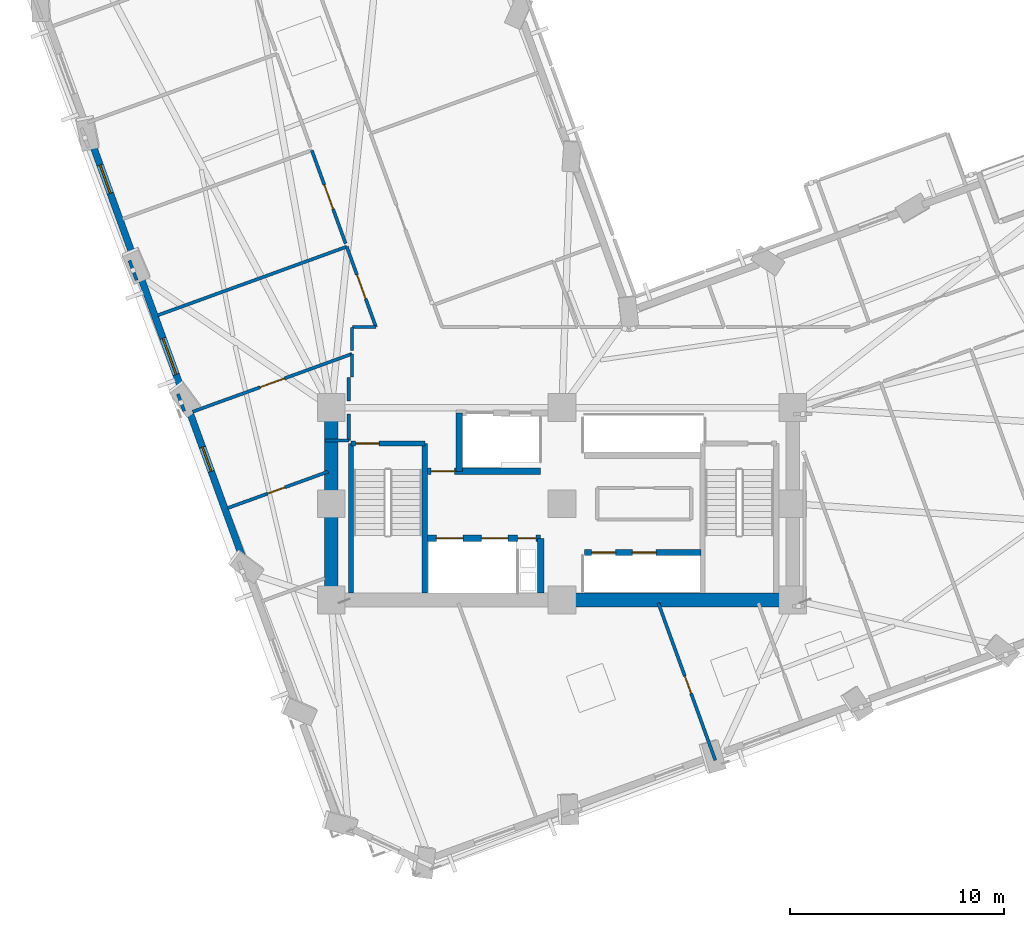
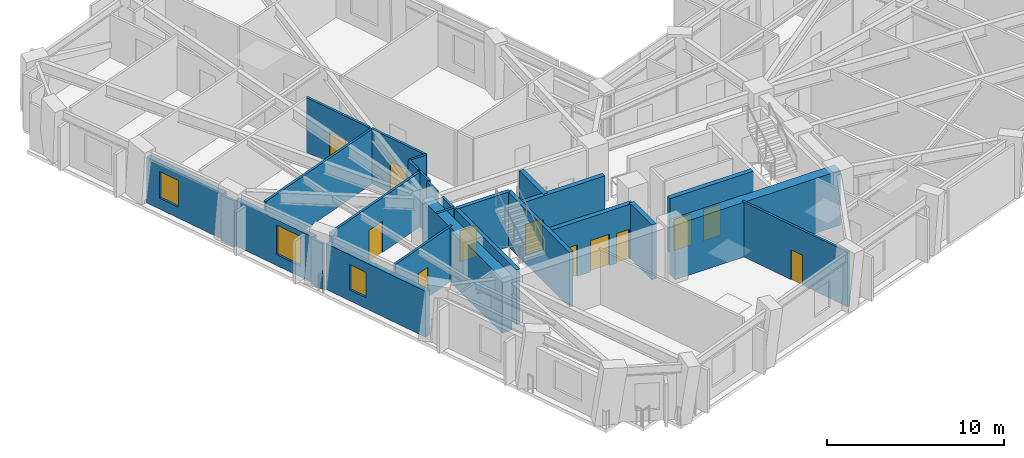
# One storey, part 9 of 17: 27 walls, 12 doors, 3 windows, 15 openings.
"""IFC4 building model written with IfcOpenShell, lengths in metres."""

from ifc_helpers import new_model, si_unit, direction, frame, frame_2d, origin, place, context, subcontext, project, spatial, rectangle, extrude, material, layer, layer_set, type_object, element, fill, save


model = new_model("IFC4")

# Units and contexts
model_context = context("Model", 3, precision=1e-05, world=origin(), true_north=direction((0.0, 1.0)))
body_context = subcontext(model_context, "Body", "Model", "MODEL_VIEW")
ifc_project = project(units=[si_unit("LENGTHUNIT", "METRE"), si_unit("AREAUNIT", "SQUARE_METRE"), si_unit("VOLUMEUNIT", "CUBIC_METRE"), si_unit("PLANEANGLEUNIT", "RADIAN"), si_unit("MASSUNIT", "GRAM", prefix="KILO")], contexts=[model_context])

# Site, building, storey
site_placement = place(None, origin())
site = spatial("IfcSite", under=ifc_project, at=site_placement, CompositionType="ELEMENT")
building_placement = place(site_placement, origin())
building = spatial("IfcBuilding", under=site, at=building_placement, Name="Gaonmaruhae Medical Tower", CompositionType="ELEMENT")
storey_placement = place(building_placement, frame((0.0, 0.0, 108.39990234375)))
storey = spatial("IfcBuildingStorey", under=building, at=storey_placement, Name="L25", CompositionType="ELEMENT", Elevation=108.39990234375)

# Walls
ifc_material_1 = material(Name="Concrete C60/75", Category="concrete")
ifc_layer_1 = layer(ifc_material_1, 0.64990234375)
ifc_layer_set_1 = layer_set([ifc_layer_1], Name="Concrete C60/75")
wall_type_1 = type_object("IfcWallType", Name="CW-650 Zone 2 Core Shear Wall", PredefinedType="SHEAR", material=ifc_layer_set_1)
wall_1_placement = place(storey_placement, frame((24.800048828125, 7.800048828125, 0.0), z_axis=(0.0, 0.0, 1.0), x_axis=(1.0, 0.0, 0.0)))
element("IfcWall", 1, at=wall_1_placement, inside=storey, type_object=wall_type_1, Name="L25 Core Shear Wall CSW-S2", PredefinedType="SHEAR", context=body_context, shape_type="SweptSolid", body=[
    extrude(rectangle(XDim=10.800048828125, YDim=0.64990234375, at=frame_2d((5.39990234375, 0.0))), origin(), (0.0, 0.0, 1.0), 3.780029296875),
])
wall_2_placement = place(storey_placement, frame((14.0, 16.800048828125, 0.0), z_axis=(0.0, 0.0, 1.0), x_axis=(0.0, -1.0, 0.0)))
element("IfcWall", 2, at=wall_2_placement, inside=storey, type_object=wall_type_1, Name="L25 Core Shear Wall CSW-W1", PredefinedType="SHEAR", context=body_context, shape_type="SweptSolid", body=[
    extrude(rectangle(XDim=9.0, YDim=0.64990234375, at=frame_2d((4.5, 0.0))), origin(), (0.0, 0.0, 1.0), 3.780029296875),
])

# Wall, opening, window
ifc_material_2 = material(Name="Precast concrete C45/55", Category="concrete")
ifc_layer_2 = layer(ifc_material_2, 0.320068359375)
ifc_layer_set_2 = layer_set([ifc_layer_2], Name="Precast concrete C45/55")
wall_type_2 = type_object("IfcWallType", Name="EW-320 Lower Precast Masonry-Frame Facade Wall", PredefinedType="SOLIDWALL", material=ifc_layer_set_2)
wall_3_placement = place(storey_placement, frame((4.773193359375, 23.765380859375, 0.0), z_axis=(0.0, 0.0, 1.0), x_axis=(-0.341234474443, 0.93997820903, 0.0)))
wall_3 = element("IfcWall", 3, at=wall_3_placement, inside=storey, type_object=wall_type_2, Name="L25 Precast Masonry-Frame Wall W02-W03", PredefinedType="SOLIDWALL", context=body_context, shape_type="SweptSolid", body=[
    extrude(rectangle(XDim=5.6279296875, YDim=0.320068359375, at=frame_2d((2.81396484375, 0.0))), origin(), (0.0, 0.0, 1.0), 3.1650390625),
])
opening_1_placement = place(wall_3_placement, frame((3.263427734375, 0.0, 0.75)))
opening_1 = element("IfcOpeningElement", 4, at=opening_1_placement, cuts=wall_3, Name="Opening WN-03", PredefinedType="OPENING", context=body_context, shape_type="SweptSolid", body=[
    extrude(rectangle(XDim=1.39990234375, YDim=1.85009765625, at=frame_2d((0.699951171875, 0.925048828125))), frame((0.0, 0.169921875, 0.0), z_axis=(0.0, -1.0, 0.0), x_axis=(1.0, 0.0, 0.0)), (0.0, 0.0, 1.0), 0.340087890625),
])
ifc_material_3 = material(Name="Anodised aluminium and Low-E double glazing", Category="aluminium")
window_type_1 = type_object("IfcWindowType", Name="WN-03 Isolation Ward Punched Window 1400x1850", PartitioningType="SINGLE_PANEL", PredefinedType="WINDOW", material=ifc_material_3)
window_1_placement = place(opening_1_placement, origin())
window_1 = element("IfcWindow", 5, at=window_1_placement, inside=storey, type_object=window_type_1, Name="L25 Modular Facade Window W02", OverallHeight=1.85009765625, OverallWidth=1.39990234375, PartitioningType="SINGLE_PANEL", PredefinedType="WINDOW", context=body_context, shape_type="SweptSolid", body=[
    extrude(rectangle(XDim=1.39990234375, YDim=1.85009765625, at=frame_2d((0.699951171875, 0.925048828125))), frame((0.0, 0.030029296875, 0.0), z_axis=(0.0, -1.0, 0.0), x_axis=(1.0, 0.0, 0.0)), (0.0, 0.0, 1.0), 0.06005859375),
])
fill(opening_1, window_1)

wall_4_placement = place(storey_placement, frame((7.040283203125, 17.519287109375, 0.0), z_axis=(0.0, 0.0, 1.0), x_axis=(-0.341185627891, 0.939995940055, 0.0)))
wall_4 = element("IfcWall", 6, at=wall_4_placement, inside=storey, type_object=wall_type_2, Name="L25 Precast Masonry-Frame Wall W03-W04", PredefinedType="SOLIDWALL", context=body_context, shape_type="SweptSolid", body=[
    extrude(rectangle(XDim=5.662353515625, YDim=0.320068359375, at=frame_2d((2.8310546875, 0.0))), origin(), (0.0, 0.0, 1.0), 3.1650390625),
])
opening_2_placement = place(wall_4_placement, frame((0.885986328125, 0.0, 0.75)))
opening_2 = element("IfcOpeningElement", 7, at=opening_2_placement, cuts=wall_4, Name="Opening WN-04", PredefinedType="OPENING", context=body_context, shape_type="SweptSolid", body=[
    extrude(rectangle(XDim=1.800048828125, YDim=2.050048828125, at=frame_2d((0.89990234375, 1.02490234375))), frame((0.0, 0.169921875, 0.0), z_axis=(0.0, -1.0, 0.0), x_axis=(1.0, 0.0, 0.0)), (0.0, 0.0, 1.0), 0.340087890625),
])
window_type_2 = type_object("IfcWindowType", Name="WN-04 Clinic & Consult Punched Window 1800x2050", PartitioningType="SINGLE_PANEL", PredefinedType="WINDOW", material=ifc_material_3)
window_2_placement = place(opening_2_placement, origin())
window_2 = element("IfcWindow", 8, at=window_2_placement, inside=storey, type_object=window_type_2, Name="L25 Modular Facade Window W03", OverallHeight=2.050048828125, OverallWidth=1.800048828125, PartitioningType="SINGLE_PANEL", PredefinedType="WINDOW", context=body_context, shape_type="SweptSolid", body=[
    extrude(rectangle(XDim=1.800048828125, YDim=2.050048828125, at=frame_2d((0.89990234375, 1.02490234375))), frame((0.0, 0.030029296875, 0.0), z_axis=(0.0, -1.0, 0.0), x_axis=(1.0, 0.0, 0.0)), (0.0, 0.0, 1.0), 0.06005859375),
])
fill(opening_2, window_2)

wall_5_placement = place(storey_placement, frame((9.89013671875, 9.668212890625, 0.0), z_axis=(0.0, 0.0, 1.0), x_axis=(-0.341183717547, 0.939996633441, 0.0)))
wall_5 = element("IfcWall", 9, at=wall_5_placement, inside=storey, type_object=wall_type_2, Name="L25 Precast Masonry-Frame Wall W04-W05", PredefinedType="SOLIDWALL", context=body_context, shape_type="SweptSolid", body=[
    extrude(rectangle(XDim=7.3603515625, YDim=0.320068359375, at=frame_2d((3.68017578125, 0.0))), origin(), (0.0, 0.0, 1.0), 3.1650390625),
])
opening_3_placement = place(wall_5_placement, frame((4.4140625, 0.0, 0.75)))
opening_3 = element("IfcOpeningElement", 10, at=opening_3_placement, cuts=wall_5, Name="Opening WN-05", PredefinedType="OPENING", context=body_context, shape_type="SweptSolid", body=[
    extrude(rectangle(XDim=1.199951171875, YDim=1.75, at=frame_2d((0.60009765625, 0.875))), frame((0.0, 0.169921875, 0.0), z_axis=(0.0, -1.0, 0.0), x_axis=(1.0, 0.0, 0.0)), (0.0, 0.0, 1.0), 0.340087890625),
])
window_type_3 = type_object("IfcWindowType", Name="WN-05 Support & Staff Punched Window 1200x1750", PartitioningType="SINGLE_PANEL", PredefinedType="WINDOW", material=ifc_material_3)
window_3_placement = place(opening_3_placement, origin())
window_3 = element("IfcWindow", 11, at=window_3_placement, inside=storey, type_object=window_type_3, Name="L25 Modular Facade Window W04", OverallHeight=1.75, OverallWidth=1.199951171875, PartitioningType="SINGLE_PANEL", PredefinedType="WINDOW", context=body_context, shape_type="SweptSolid", body=[
    extrude(rectangle(XDim=1.199951171875, YDim=1.75, at=frame_2d((0.60009765625, 0.875))), frame((0.0, 0.030029296875, 0.0), z_axis=(0.0, -1.0, 0.0), x_axis=(1.0, 0.0, 0.0)), (0.0, 0.0, 1.0), 0.06005859375),
])
fill(opening_3, window_3)

# Wall, opening, door
ifc_material_4 = material(Name="Gypsum board partition", Category="gypsum")
ifc_layer_3 = layer(ifc_material_4, 0.14990234375)
ifc_layer_set_3 = layer_set([ifc_layer_3], Name="Gypsum board partition")
wall_type_3 = type_object("IfcWallType", Name="PW-150 Rated Clinical Corridor Partition", PredefinedType="PARTITIONING", material=ifc_layer_set_3)
wall_6_placement = place(storey_placement, frame((29.31005859375, 7.64990234375, 0.0), z_axis=(0.0, 0.0, 1.0), x_axis=(0.341041356656, -0.940048292935, 0.0)))
wall_6 = element("IfcWall", 12, at=wall_6_placement, inside=storey, type_object=wall_type_3, Name="L25 Interior Partition L25-SUP04-9", PredefinedType="PARTITIONING", context=body_context, shape_type="SweptSolid", body=[
    extrude(rectangle(XDim=7.822998046875, YDim=0.14990234375, at=frame_2d((3.91162109375, 0.0))), origin(), (0.0, 0.0, 1.0), 3.780029296875),
])
opening_4_placement = place(wall_6_placement, frame((3.640869140625, 0.0, 0.0)))
opening_4 = element("IfcOpeningElement", 13, at=opening_4_placement, cuts=wall_6, Name="Opening AD-01", PredefinedType="OPENING", context=body_context, shape_type="SweptSolid", body=[
    extrude(rectangle(XDim=0.860107421875, YDim=2.06005859375, at=frame_2d((0.43017578125, 1.030029296875))), frame((0.0, 0.0849609375, 0.0), z_axis=(0.0, -1.0, 0.0), x_axis=(1.0, 0.0, 0.0)), (0.0, 0.0, 1.0), 0.169921875),
])
ifc_material_5 = material(Name="Powder-coated steel access door", Category="steel")
door_type_1 = type_object("IfcDoorType", Name="AD-01 Riser & Closet Access Fire Door 860x2060", OperationType="NOTDEFINED", PredefinedType="DOOR", material=ifc_material_5)
door_1_placement = place(opening_4_placement, origin())
door_1 = element("IfcDoor", 14, at=door_1_placement, inside=storey, type_object=door_type_1, Name="L25 Clinical Biomedical Charting Office Sliding Door", OperationType="SLIDING_TO_LEFT", OverallHeight=2.06005859375, OverallWidth=0.860107421875, PredefinedType="DOOR", context=body_context, shape_type="SweptSolid", body=[
    extrude(rectangle(XDim=0.860107421875, YDim=2.06005859375, at=frame_2d((0.43017578125, 1.030029296875))), frame((0.0, 0.02490234375, 0.0), z_axis=(0.0, -1.0, 0.0), x_axis=(1.0, 0.0, 0.0)), (0.0, 0.0, 1.0), 0.050048828125),
])
fill(opening_4, door_1)

wall_7_placement = place(storey_placement, frame((9.152099609375, 12.096923828125, 0.0), z_axis=(0.0, 0.0, 1.0), x_axis=(0.940066980514, 0.340989841708, 0.0)))
wall_7 = element("IfcWall", 15, at=wall_7_placement, inside=storey, type_object=wall_type_3, Name="L25 Interior Partition L25-WOF12-34", PredefinedType="PARTITIONING", context=body_context, shape_type="SweptSolid", body=[
    extrude(rectangle(XDim=4.99755859375, YDim=0.14990234375, at=frame_2d((2.498779296875, 0.0))), origin(), (0.0, 0.0, 1.0), 3.780029296875),
])
opening_5_placement = place(wall_7_placement, frame((1.989013671875, 0.0, 0.0)))
opening_5 = element("IfcOpeningElement", 16, at=opening_5_placement, cuts=wall_7, Name="Opening AD-01", PredefinedType="OPENING", context=body_context, shape_type="SweptSolid", body=[
    extrude(rectangle(XDim=0.860107421875, YDim=2.06005859375, at=frame_2d((0.43017578125, 1.030029296875))), frame((0.0, 0.0849609375, 0.0), z_axis=(0.0, -1.0, 0.0), x_axis=(1.0, 0.0, 0.0)), (0.0, 0.0, 1.0), 0.169921875),
])
door_2_placement = place(opening_5_placement, origin())
door_2 = element("IfcDoor", 17, at=door_2_placement, inside=storey, type_object=door_type_1, Name="L25 Ward Physician Reporting Office Sliding Door", OperationType="SLIDING_TO_LEFT", OverallHeight=2.06005859375, OverallWidth=0.860107421875, PredefinedType="DOOR", context=body_context, shape_type="SweptSolid", body=[
    extrude(rectangle(XDim=0.860107421875, YDim=2.06005859375, at=frame_2d((0.43017578125, 1.030029296875))), frame((0.0, 0.02490234375, 0.0), z_axis=(0.0, -1.0, 0.0), x_axis=(1.0, 0.0, 0.0)), (0.0, 0.0, 1.0), 0.050048828125),
])
fill(opening_5, door_2)

# Walls
wall_8_placement = place(storey_placement, frame((14.820068359375, 18.199951171875, 0.0), z_axis=(0.0, 0.0, 1.0), x_axis=(0.0, -1.0, 0.0)))
element("IfcWall", 18, at=wall_8_placement, inside=storey, type_object=wall_type_3, Name="L25 Interior Partition L25-WCL13-36", PredefinedType="PARTITIONING", context=body_context, shape_type="SweptSolid", body=[
    extrude(rectangle(XDim=1.091064453125, YDim=0.14990234375, at=frame_2d((0.54541015625, 0.0))), origin(), (0.0, 0.0, 1.0), 3.780029296875),
])
wall_9_placement = place(storey_placement, frame((14.820068359375, 16.490966796875, 0.0), z_axis=(0.0, 0.0, 1.0), x_axis=(0.0, -1.0, 0.0)))
element("IfcWall", 19, at=wall_9_placement, inside=storey, type_object=wall_type_3, Name="L25 Interior Partition L25-WCL13-37", PredefinedType="PARTITIONING", context=body_context, shape_type="SweptSolid", body=[
    extrude(rectangle(XDim=1.23095703125, YDim=0.14990234375, at=frame_2d((0.615478515625, 0.0))), origin(), (0.0, 0.0, 1.0), 3.780029296875),
])
wall_10_placement = place(storey_placement, frame((14.820068359375, 15.260009765625, 0.0), z_axis=(0.0, 0.0, 1.0), x_axis=(-1.0, 0.0, 0.0)))
element("IfcWall", 20, at=wall_10_placement, inside=storey, type_object=wall_type_3, Name="L25 Interior Partition L25-WCL13-38", PredefinedType="PARTITIONING", context=body_context, shape_type="SweptSolid", body=[
    extrude(rectangle(XDim=1.1201171875, YDim=0.14990234375, at=frame_2d((0.56005859375, 0.0))), origin(), (0.0, 0.0, 1.0), 3.780029296875),
])

# Wall, opening, door
wall_11_placement = place(storey_placement, frame((7.514892578125, 16.60791015625, 0.0), z_axis=(0.0, 0.0, 1.0), x_axis=(0.939990996675, 0.341199247025, 0.0)))
wall_11 = element("IfcWall", 21, at=wall_11_placement, inside=storey, type_object=wall_type_3, Name="L25 Interior Partition L25-WCL13-39", PredefinedType="PARTITIONING", context=body_context, shape_type="SweptSolid", body=[
    extrude(rectangle(XDim=7.930908203125, YDim=0.14990234375, at=frame_2d((3.96533203125, 0.0))), origin(), (0.0, 0.0, 1.0), 3.780029296875),
])
opening_6_placement = place(wall_11_placement, frame((3.365478515625, 0.0, 0.0)))
opening_6 = element("IfcOpeningElement", 22, at=opening_6_placement, cuts=wall_11, Name="Opening CD-02", PredefinedType="OPENING", context=body_context, shape_type="SweptSolid", body=[
    extrude(rectangle(XDim=1.199951171875, YDim=2.14990234375, at=frame_2d((0.60009765625, 1.074951171875))), frame((0.0, 0.0849609375, 0.0), z_axis=(0.0, -1.0, 0.0), x_axis=(1.0, 0.0, 0.0)), (0.0, 0.0, 1.0), 0.169921875),
])
ifc_material_6 = material(Name="Antimicrobial laminate timber fire door", Category="wood")
door_type_2 = type_object("IfcDoorType", Name="CD-02 Clinical Treatment & Procedure Door 1200x2150", OperationType="NOTDEFINED", PredefinedType="DOOR", material=ifc_material_6)
door_3_placement = place(opening_6_placement, origin())
door_3 = element("IfcDoor", 23, at=door_3_placement, inside=storey, type_object=door_type_2, Name="L25 Specialist Consultation Office Sliding Door", OperationType="SLIDING_TO_LEFT", OverallHeight=2.14990234375, OverallWidth=1.199951171875, PredefinedType="DOOR", context=body_context, shape_type="SweptSolid", body=[
    extrude(rectangle(XDim=1.199951171875, YDim=2.14990234375, at=frame_2d((0.60009765625, 1.074951171875))), frame((0.0, 0.02490234375, 0.0), z_axis=(0.0, -1.0, 0.0), x_axis=(1.0, 0.0, 0.0)), (0.0, 0.0, 1.0), 0.050048828125),
])
fill(opening_6, door_3)

# Walls
wall_12_placement = place(storey_placement, frame((14.969970703125, 19.31396484375, 0.0), z_axis=(0.0, 0.0, 1.0), x_axis=(0.0, -1.0, 0.0)))
element("IfcWall", 24, at=wall_12_placement, inside=storey, type_object=wall_type_3, Name="L25 Interior Partition L25-WCL13-40", PredefinedType="PARTITIONING", context=body_context, shape_type="SweptSolid", body=[
    extrude(rectangle(XDim=1.083984375, YDim=0.14990234375, at=frame_2d((0.5419921875, 0.0))), origin(), (0.0, 0.0, 1.0), 3.780029296875),
])
wall_13_placement = place(storey_placement, frame((14.969970703125, 20.550048828125, 0.0), z_axis=(0.0, 0.0, 1.0), x_axis=(0.0, -1.0, 0.0)))
element("IfcWall", 25, at=wall_13_placement, inside=storey, type_object=wall_type_3, Name="L25 Interior Partition L25-WOF14-41", PredefinedType="PARTITIONING", context=body_context, shape_type="SweptSolid", body=[
    extrude(rectangle(XDim=1.066162109375, YDim=0.14990234375, at=frame_2d((0.533203125, 0.0))), origin(), (0.0, 0.0, 1.0), 3.780029296875),
])
wall_14_placement = place(storey_placement, frame((7.116943359375, 16.634033203125, 0.0), z_axis=(0.0, 0.0, 1.0), x_axis=(-0.341286313554, 0.93995938858, 0.0)))
element("IfcWall", 26, at=wall_14_placement, inside=storey, type_object=wall_type_3, Name="L25 Interior Partition L25-WOF14-42", PredefinedType="PARTITIONING", context=body_context, shape_type="SweptSolid", body=[
    extrude(rectangle(XDim=0.8583984375, YDim=0.14990234375, at=frame_2d((0.42919921875, 0.0))), origin(), (0.0, 0.0, 1.0), 3.1650390625),
])
wall_15_placement = place(storey_placement, frame((5.876953125, 21.1201171875, 0.0), z_axis=(0.0, 0.0, 1.0), x_axis=(0.940008258736, 0.34115168695, 0.0)))
element("IfcWall", 27, at=wall_15_placement, inside=storey, type_object=wall_type_3, Name="L25 Interior Partition L25-WOF14-43", PredefinedType="PARTITIONING", context=body_context, shape_type="SweptSolid", body=[
    extrude(rectangle(XDim=9.414794921875, YDim=0.14990234375, at=frame_2d((4.70751953125, 0.0))), origin(), (0.0, 0.0, 1.0), 3.780029296875),
])

# Wall, opening, door
wall_16_placement = place(storey_placement, frame((14.72705078125, 24.33203125, 0.0), z_axis=(0.0, 0.0, 1.0), x_axis=(0.341237178064, -0.939977227547, 0.0)))
wall_16 = element("IfcWall", 28, at=wall_16_placement, inside=storey, type_object=wall_type_3, Name="L25 Interior Partition L25-WOF14-44", PredefinedType="PARTITIONING", context=body_context, shape_type="SweptSolid", body=[
    extrude(rectangle(XDim=3.991455078125, YDim=0.14990234375, at=frame_2d((1.99560546875, 0.0))), origin(), (0.0, 0.0, 1.0), 3.780029296875),
])
opening_7_placement = place(wall_16_placement, frame((1.395751953125, 0.0, 0.0)))
opening_7 = element("IfcOpeningElement", 29, at=opening_7_placement, cuts=wall_16, Name="Opening CD-02", PredefinedType="OPENING", context=body_context, shape_type="SweptSolid", body=[
    extrude(rectangle(XDim=1.199951171875, YDim=2.14990234375, at=frame_2d((0.60009765625, 1.074951171875))), frame((0.0, 0.0849609375, 0.0), z_axis=(0.0, -1.0, 0.0), x_axis=(1.0, 0.0, 0.0)), (0.0, 0.0, 1.0), 0.169921875),
])
door_4_placement = place(opening_7_placement, origin())
door_4 = element("IfcDoor", 30, at=door_4_placement, inside=storey, type_object=door_type_2, Name="L25 Ward Physician Reporting Office Door", OperationType="SINGLE_SWING_RIGHT", OverallHeight=2.14990234375, OverallWidth=1.199951171875, PredefinedType="DOOR", context=body_context, shape_type="SweptSolid", body=[
    extrude(rectangle(XDim=1.199951171875, YDim=2.14990234375, at=frame_2d((0.60009765625, 1.074951171875))), frame((0.0, 0.02490234375, 0.0), z_axis=(0.0, -1.0, 0.0), x_axis=(1.0, 0.0, 0.0)), (0.0, 0.0, 1.0), 0.050048828125),
])
fill(opening_7, door_4)

# Wall
wall_17_placement = place(storey_placement, frame((16.089111328125, 20.580078125, 0.0), z_axis=(0.0, 0.0, 1.0), x_axis=(-1.0, 0.0, 0.0)))
element("IfcWall", 31, at=wall_17_placement, inside=storey, type_object=wall_type_3, Name="L25 Interior Partition L25-WOF14-45", PredefinedType="PARTITIONING", context=body_context, shape_type="SweptSolid", body=[
    extrude(rectangle(XDim=1.092041015625, YDim=0.14990234375, at=frame_2d((0.5458984375, 0.0))), origin(), (0.0, 0.0, 1.0), 3.780029296875),
])

# Wall, opening, door
wall_18_placement = place(storey_placement, frame((13.089111328125, 28.843994140625, 0.0), z_axis=(0.0, 0.0, 1.0), x_axis=(0.34120218881, -0.939989928856, 0.0)))
wall_18 = element("IfcWall", 32, at=wall_18_placement, inside=storey, type_object=wall_type_3, Name="L25 Interior Partition L25-WOF15-47", PredefinedType="PARTITIONING", context=body_context, shape_type="SweptSolid", body=[
    extrude(rectangle(XDim=4.639404296875, YDim=0.14990234375, at=frame_2d((2.31982421875, 0.0))), origin(), (0.0, 0.0, 1.0), 3.780029296875),
])
opening_8_placement = place(wall_18_placement, frame((1.7197265625, 0.0, 0.0)))
opening_8 = element("IfcOpeningElement", 33, at=opening_8_placement, cuts=wall_18, Name="Opening CD-02", PredefinedType="OPENING", context=body_context, shape_type="SweptSolid", body=[
    extrude(rectangle(XDim=1.199951171875, YDim=2.14990234375, at=frame_2d((0.60009765625, 1.074951171875))), frame((0.0, 0.0849609375, 0.0), z_axis=(0.0, -1.0, 0.0), x_axis=(1.0, 0.0, 0.0)), (0.0, 0.0, 1.0), 0.169921875),
])
door_5_placement = place(opening_8_placement, origin())
door_5 = element("IfcDoor", 34, at=door_5_placement, inside=storey, type_object=door_type_2, Name="L25 Ward Physician Reporting Office Door", OperationType="SINGLE_SWING_LEFT", OverallHeight=2.14990234375, OverallWidth=1.199951171875, PredefinedType="DOOR", context=body_context, shape_type="SweptSolid", body=[
    extrude(rectangle(XDim=1.199951171875, YDim=2.14990234375, at=frame_2d((0.60009765625, 1.074951171875))), frame((0.0, 0.02490234375, 0.0), z_axis=(0.0, -1.0, 0.0), x_axis=(1.0, 0.0, 0.0)), (0.0, 0.0, 1.0), 0.050048828125),
])
fill(opening_8, door_5)

# Wall
wall_19_placement = place(storey_placement, frame((4.89208984375, 22.762939453125, 0.0), z_axis=(0.0, 0.0, 1.0), x_axis=(-0.34100511436, 0.940061440535, 0.0)))
element("IfcWall", 35, at=wall_19_placement, inside=storey, type_object=wall_type_3, Name="L25 Interior Partition L25-WOF15-48", PredefinedType="PARTITIONING", context=body_context, shape_type="SweptSolid", body=[
    extrude(rectangle(XDim=0.98291015625, YDim=0.14990234375, at=frame_2d((0.491455078125, 0.0))), origin(), (0.0, 0.0, 1.0), 3.1650390625),
])

# Wall, opening, door
ifc_material_7 = material(Name="Concrete C50/60", Category="concrete")
ifc_layer_4 = layer(ifc_material_7, 0.239990234375)
ifc_layer_set_4 = layer_set([ifc_layer_4], Name="Concrete C50/60")
wall_type_4 = type_object("IfcWallType", Name="SW-240 Dogleg Stair Tight Shaft Wall", PredefinedType="SOLIDWALL", material=ifc_layer_set_4)
wall_20_placement = place(storey_placement, frame((14.919921875, 15.1201171875, 0.0), z_axis=(0.0, 0.0, 1.0), x_axis=(1.0, 0.0, 0.0)))
wall_20 = element("IfcWall", 36, at=wall_20_placement, inside=storey, type_object=wall_type_4, Name="L25 ST-01 Stair Shaft Wall SHW-ST-01-N", PredefinedType="SOLIDWALL", context=body_context, shape_type="SweptSolid", body=[
    extrude(rectangle(XDim=3.4599609375, YDim=0.239990234375, at=frame_2d((1.72998046875, 0.0))), origin(), (0.0, 0.0, 1.0), 3.780029296875),
])
opening_9_placement = place(wall_20_placement, frame((0.219970703125, 0.0, 0.0)))
opening_9 = element("IfcOpeningElement", 37, at=opening_9_placement, cuts=wall_20, Name="Opening FD-01", PredefinedType="OPENING", context=body_context, shape_type="SweptSolid", body=[
    extrude(rectangle(XDim=1.10009765625, YDim=2.14990234375, at=frame_2d((0.550048828125, 1.074951171875))), frame((0.0, 0.1298828125, 0.0), z_axis=(0.0, -1.0, 0.0), x_axis=(1.0, 0.0, 0.0)), (0.0, 0.0, 1.0), 0.260009765625),
])
ifc_material_8 = material(Name="Powder-coated steel fire door", Category="steel")
door_type_3 = type_object("IfcDoorType", Name="FD-01 Escape Stair Protected Fire Door 1100x2150", OperationType="NOTDEFINED", PredefinedType="DOOR", material=ifc_material_8)
door_6_placement = place(opening_9_placement, origin())
door_6 = element("IfcDoor", 38, at=door_6_placement, inside=storey, type_object=door_type_3, Name="L25 ST-01 Protected Escape Stair Door", OperationType="SINGLE_SWING_LEFT", OverallHeight=2.14990234375, OverallWidth=1.10009765625, PredefinedType="DOOR", context=body_context, shape_type="SweptSolid", body=[
    extrude(rectangle(XDim=1.10009765625, YDim=2.14990234375, at=frame_2d((0.550048828125, 1.074951171875))), frame((0.0, 0.02490234375, 0.0), z_axis=(0.0, -1.0, 0.0), x_axis=(1.0, 0.0, 0.0)), (0.0, 0.0, 1.0), 0.050048828125),
])
fill(opening_9, door_6)

# Walls
for number, where, z_axis, x_axis, name in (
    (39, (18.3798828125, 15.1201171875, 0.0), (0.0, 0.0, 1.0), (0.0, -1.0, 0.0), "L25 ST-01 Stair Shaft Wall SHW-ST-01-E"),
    (40, (14.919921875, 8.125, 0.0), (0.0, 0.0, 1.0), (0.0, 1.0, 0.0), "L25 ST-01 Stair Shaft Wall SHW-ST-01-W"),
):
    element("IfcWall", number, at=place(storey_placement, frame(where, z_axis=z_axis, x_axis=x_axis)), inside=storey, type_object=wall_type_4, Name=name, PredefinedType="SOLIDWALL", context=body_context, shape_type="SweptSolid", body=[
        extrude(rectangle(XDim=6.9951171875, YDim=0.239990234375, at=frame_2d((3.49755859375, 0.0))), origin(), (0.0, 0.0, 1.0), 3.780029296875),
    ])

# Wall, openings, doors
ifc_layer_5 = layer(ifc_material_7, 0.300048828125)
ifc_layer_set_5 = layer_set([ifc_layer_5], Name="Concrete C50/60")
wall_type_5 = type_object("IfcWallType", Name="SW-300 Stair & Lift Hoistway Shaft Wall", PredefinedType="SOLIDWALL", material=ifc_layer_set_5)
wall_21_placement = place(storey_placement, frame((18.5, 10.679931640625, 0.0), z_axis=(0.0, 0.0, 1.0), x_axis=(1.0, 0.0, 0.0)))
wall_21 = element("IfcWall", 41, at=wall_21_placement, inside=storey, type_object=wall_type_5, Name="L25 Shaft Enclosure Wall SHW-FFN", PredefinedType="SOLIDWALL", context=body_context, shape_type="SweptSolid", body=[
    extrude(rectangle(XDim=5.300048828125, YDim=0.300048828125, at=frame_2d((2.64990234375, 0.0))), origin(), (0.0, 0.0, 1.0), 3.780029296875),
])
opening_10_placement = place(wall_21_placement, frame((4.219970703125, 0.0, 0.0)))
opening_10 = element("IfcOpeningElement", 42, at=opening_10_placement, cuts=wall_21, Name="Opening AD-01", PredefinedType="OPENING", context=body_context, shape_type="SweptSolid", body=[
    extrude(rectangle(XDim=0.860107421875, YDim=2.06005859375, at=frame_2d((0.43017578125, 1.030029296875))), frame((0.0, 0.16015625, 0.0), z_axis=(0.0, -1.0, 0.0), x_axis=(1.0, 0.0, 0.0)), (0.0, 0.0, 1.0), 0.320068359375),
])
opening_11_placement = place(wall_21_placement, frame((0.425048828125, 0.0, 0.0)))
opening_11 = element("IfcOpeningElement", 43, at=opening_11_placement, cuts=wall_21, Name="Opening LD-F1", PredefinedType="OPENING", context=body_context, shape_type="SweptSolid", body=[
    extrude(rectangle(XDim=1.25, YDim=2.179931640625, at=frame_2d((0.625, 1.08984375))), frame((0.0, 0.16015625, 0.0), z_axis=(0.0, -1.0, 0.0), x_axis=(1.0, 0.0, 0.0)), (0.0, 0.0, 1.0), 0.320068359375),
])
opening_12_placement = place(wall_21_placement, frame((2.52490234375, 0.0, 0.0)))
opening_12 = element("IfcOpeningElement", 44, at=opening_12_placement, cuts=wall_21, Name="Opening LD-F1", PredefinedType="OPENING", context=body_context, shape_type="SweptSolid", body=[
    extrude(rectangle(XDim=1.25, YDim=2.179931640625, at=frame_2d((0.625, 1.08984375))), frame((0.0, 0.16015625, 0.0), z_axis=(0.0, -1.0, 0.0), x_axis=(1.0, 0.0, 0.0)), (0.0, 0.0, 1.0), 0.320068359375),
])
door_7_placement = place(opening_10_placement, origin())
door_7 = element("IfcDoor", 45, at=door_7_placement, inside=storey, type_object=door_type_1, Name="L25 Medical Gas and MEP Riser Access Door", OperationType="SINGLE_SWING_RIGHT", OverallHeight=2.06005859375, OverallWidth=0.860107421875, PredefinedType="DOOR", context=body_context, shape_type="SweptSolid", body=[
    extrude(rectangle(XDim=0.860107421875, YDim=2.06005859375, at=frame_2d((0.43017578125, 1.030029296875))), frame((0.0, 0.02490234375, 0.0), z_axis=(0.0, -1.0, 0.0), x_axis=(1.0, 0.0, 0.0)), (0.0, 0.0, 1.0), 0.050048828125),
])
fill(opening_10, door_7)
ifc_material_9 = material(Name="Brushed stainless steel 316L landing door", Category="steel")
door_type_4 = type_object("IfcDoorType", Name="LD-F1 Firefighting & Bed Lift Sliding Landing Door 1250x2180", OperationType="NOTDEFINED", PredefinedType="DOOR", material=ifc_material_9)
door_8_placement = place(opening_11_placement, origin())
door_8 = element("IfcDoor", 46, at=door_8_placement, inside=storey, type_object=door_type_4, Name="L25 Firefighting Lift Landing Door FFL-01", OperationType="DOUBLE_DOOR_SLIDING", OverallHeight=2.179931640625, OverallWidth=1.25, PredefinedType="DOOR", context=body_context, shape_type="SweptSolid", body=[
    extrude(rectangle(XDim=1.25, YDim=2.179931640625, at=frame_2d((0.625, 1.08984375))), frame((0.0, 0.02490234375, 0.0), z_axis=(0.0, -1.0, 0.0), x_axis=(1.0, 0.0, 0.0)), (0.0, 0.0, 1.0), 0.050048828125),
])
fill(opening_11, door_8)
door_9_placement = place(opening_12_placement, origin())
door_9 = element("IfcDoor", 47, at=door_9_placement, inside=storey, type_object=door_type_4, Name="L25 Firefighting Lift Landing Door FFL-02", OperationType="DOUBLE_DOOR_SLIDING", OverallHeight=2.179931640625, OverallWidth=1.25, PredefinedType="DOOR", context=body_context, shape_type="SweptSolid", body=[
    extrude(rectangle(XDim=1.25, YDim=2.179931640625, at=frame_2d((0.625, 1.08984375))), frame((0.0, 0.02490234375, 0.0), z_axis=(0.0, -1.0, 0.0), x_axis=(1.0, 0.0, 0.0)), (0.0, 0.0, 1.0), 0.050048828125),
])
fill(opening_12, door_9)

# Wall, opening, door
wall_22_placement = place(storey_placement, frame((18.5, 13.820068359375, 0.0), z_axis=(0.0, 0.0, 1.0), x_axis=(1.0, 0.0, 0.0)))
wall_22 = element("IfcWall", 48, at=wall_22_placement, inside=storey, type_object=wall_type_5, Name="L25 Shaft Enclosure Wall SHW-FFL", PredefinedType="SOLIDWALL", context=body_context, shape_type="SweptSolid", body=[
    extrude(rectangle(XDim=5.300048828125, YDim=0.300048828125, at=frame_2d((2.64990234375, 0.0))), origin(), (0.0, 0.0, 1.0), 3.780029296875),
])
opening_13_placement = place(wall_22_placement, frame((0.179931640625, 0.0, 0.0)))
opening_13 = element("IfcOpeningElement", 49, at=opening_13_placement, cuts=wall_22, Name="Opening FD-01", PredefinedType="OPENING", context=body_context, shape_type="SweptSolid", body=[
    extrude(rectangle(XDim=1.10009765625, YDim=2.14990234375, at=frame_2d((0.550048828125, 1.074951171875))), frame((0.0, 0.16015625, 0.0), z_axis=(0.0, -1.0, 0.0), x_axis=(1.0, 0.0, 0.0)), (0.0, 0.0, 1.0), 0.320068359375),
])
door_10_placement = place(opening_13_placement, origin())
door_10 = element("IfcDoor", 50, at=door_10_placement, inside=storey, type_object=door_type_3, Name="L25 Firefighting Lobby Smoke Door", OperationType="SINGLE_SWING_LEFT", OverallHeight=2.14990234375, OverallWidth=1.10009765625, PredefinedType="DOOR", context=body_context, shape_type="SweptSolid", body=[
    extrude(rectangle(XDim=1.10009765625, YDim=2.14990234375, at=frame_2d((0.550048828125, 1.074951171875))), frame((0.0, 0.02490234375, 0.0), z_axis=(0.0, -1.0, 0.0), x_axis=(1.0, 0.0, 0.0)), (0.0, 0.0, 1.0), 0.050048828125),
])
fill(opening_13, door_10)

# Walls
wall_23_placement = place(storey_placement, frame((23.800048828125, 8.125, 0.0), z_axis=(0.0, 0.0, 1.0), x_axis=(0.0, 1.0, 0.0)))
element("IfcWall", 51, at=wall_23_placement, inside=storey, type_object=wall_type_5, Name="L25 Shaft Enclosure Wall SHW-FFE", PredefinedType="SOLIDWALL", context=body_context, shape_type="SweptSolid", body=[
    extrude(rectangle(XDim=2.554931640625, YDim=0.300048828125, at=frame_2d((1.27734375, 0.0))), origin(), (0.0, 0.0, 1.0), 3.780029296875),
])
wall_24_placement = place(storey_placement, frame((20.0, 13.820068359375, 0.0), z_axis=(0.0, 0.0, 1.0), x_axis=(0.0, 1.0, 0.0)))
element("IfcWall", 52, at=wall_24_placement, inside=storey, type_object=wall_type_5, Name="L25 Shaft Enclosure Wall SHW-BDW", PredefinedType="SOLIDWALL", context=body_context, shape_type="SweptSolid", body=[
    extrude(rectangle(XDim=2.72998046875, YDim=0.300048828125, at=frame_2d((1.364990234375, 0.0))), origin(), (0.0, 0.0, 1.0), 3.780029296875),
])

# Wall, openings, doors
wall_25_placement = place(storey_placement, frame((25.85009765625, 10.02001953125, 0.0), z_axis=(0.0, 0.0, 1.0), x_axis=(1.0, 0.0, 0.0)))
wall_25 = element("IfcWall", 53, at=wall_25_placement, inside=storey, type_object=wall_type_5, Name="L25 Shaft Enclosure Wall SHW-PLS", PredefinedType="SOLIDWALL", context=body_context, shape_type="SweptSolid", body=[
    extrude(rectangle(XDim=5.449951171875, YDim=0.300048828125, at=frame_2d((2.72509765625, 0.0))), origin(), (0.0, 0.0, 1.0), 3.780029296875),
])
opening_14_placement = place(wall_25_placement, frame((0.340087890625, 0.0, 0.0)))
opening_14 = element("IfcOpeningElement", 54, at=opening_14_placement, cuts=wall_25, Name="Opening LD-P1", PredefinedType="OPENING", context=body_context, shape_type="SweptSolid", body=[
    extrude(rectangle(XDim=1.1201171875, YDim=2.14990234375, at=frame_2d((0.56005859375, 1.074951171875))), frame((0.0, 0.16015625, 0.0), z_axis=(0.0, -1.0, 0.0), x_axis=(1.0, 0.0, 0.0)), (0.0, 0.0, 1.0), 0.320068359375),
])
opening_15_placement = place(wall_25_placement, frame((2.239990234375, 0.0, 0.0)))
opening_15 = element("IfcOpeningElement", 55, at=opening_15_placement, cuts=wall_25, Name="Opening LD-P1", PredefinedType="OPENING", context=body_context, shape_type="SweptSolid", body=[
    extrude(rectangle(XDim=1.1201171875, YDim=2.14990234375, at=frame_2d((0.56005859375, 1.074951171875))), frame((0.0, 0.16015625, 0.0), z_axis=(0.0, -1.0, 0.0), x_axis=(1.0, 0.0, 0.0)), (0.0, 0.0, 1.0), 0.320068359375),
])
ifc_material_10 = material(Name="Brushed stainless steel 304 landing door", Category="steel")
door_type_5 = type_object("IfcDoorType", Name="LD-P1 Passenger Lift Sliding Landing Door 1120x2150", OperationType="NOTDEFINED", PredefinedType="DOOR", material=ifc_material_10)
door_11_placement = place(opening_14_placement, origin())
door_11 = element("IfcDoor", 56, at=door_11_placement, inside=storey, type_object=door_type_5, Name="L25 Passenger Lift Landing Door PL-L1", OperationType="DOUBLE_DOOR_SLIDING", OverallHeight=2.14990234375, OverallWidth=1.1201171875, PredefinedType="DOOR", context=body_context, shape_type="SweptSolid", body=[
    extrude(rectangle(XDim=1.1201171875, YDim=2.14990234375, at=frame_2d((0.56005859375, 1.074951171875))), frame((0.0, 0.02490234375, 0.0), z_axis=(0.0, -1.0, 0.0), x_axis=(1.0, 0.0, 0.0)), (0.0, 0.0, 1.0), 0.050048828125),
])
fill(opening_14, door_11)
door_12_placement = place(opening_15_placement, origin())
door_12 = element("IfcDoor", 57, at=door_12_placement, inside=storey, type_object=door_type_5, Name="L25 Passenger Lift Landing Door PL-L2", OperationType="DOUBLE_DOOR_SLIDING", OverallHeight=2.14990234375, OverallWidth=1.1201171875, PredefinedType="DOOR", context=body_context, shape_type="SweptSolid", body=[
    extrude(rectangle(XDim=1.1201171875, YDim=2.14990234375, at=frame_2d((0.56005859375, 1.074951171875))), frame((0.0, 0.02490234375, 0.0), z_axis=(0.0, -1.0, 0.0), x_axis=(1.0, 0.0, 0.0)), (0.0, 0.0, 1.0), 0.050048828125),
])
fill(opening_15, door_12)

save(model, "model.ifc")
